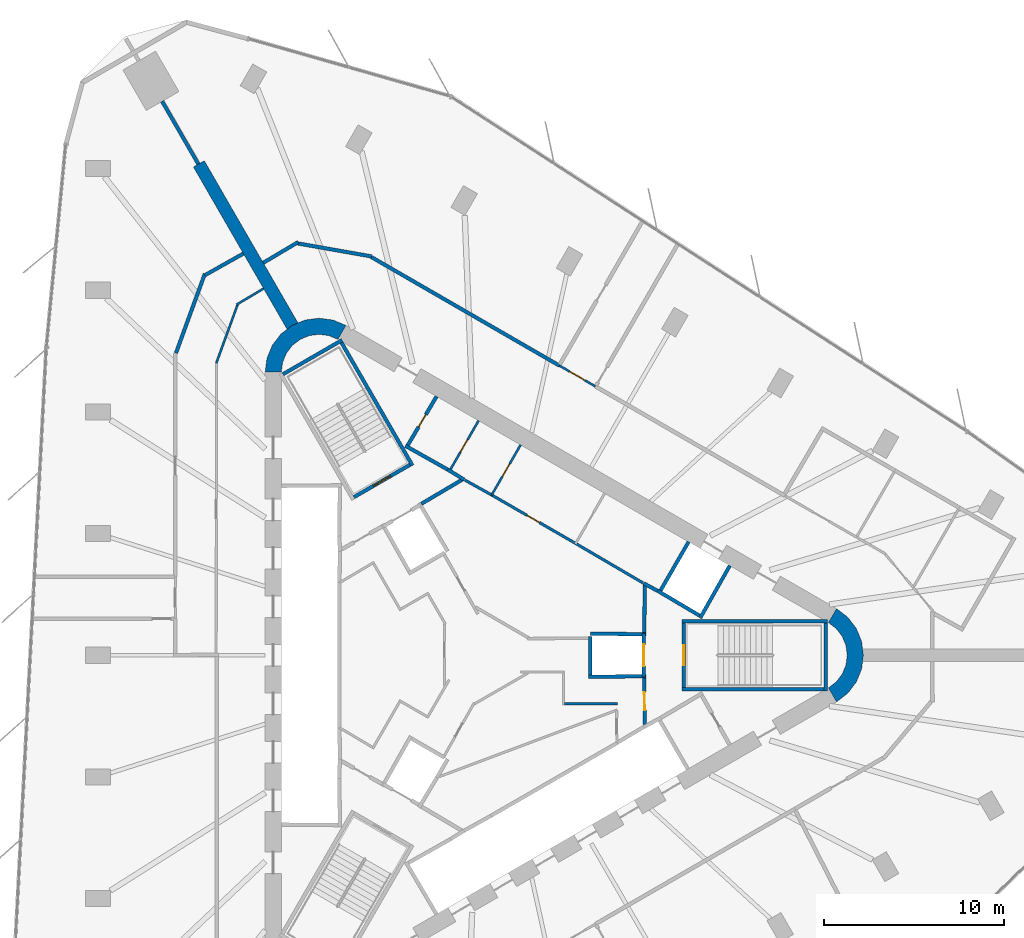
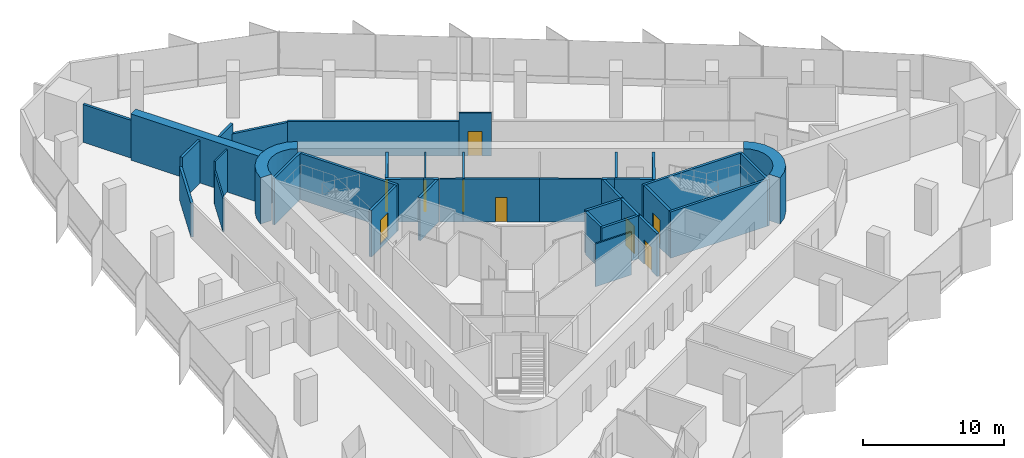
# One storey, part 11 of 14: 39 walls, 9 doors, 9 openings.
"""IFC4 building model written with IfcOpenShell, lengths in metres."""

import ifcopenshell
import ifcopenshell.guid

model = None  # the IFC model being written
_history = None  # IfcOwnerHistory: only IFC2X3 demands one
_inside = {}  # id of a spatial element -> (the spatial element, [elements in it])
_under = {}  # id of a project, library or spatial element -> (it, [spatial elements below it])
_declared = {}  # id of a project -> (the project, [libraries it declares])
_typed = {}  # id of a type object -> (the type object, [elements of that type])
_made_of = {}  # id of a material, layer set ... -> (it, [elements and type objects made of it])


def new_model(schema):
    """Start an empty IFC model of exactly this schema.

    Asked for "IFC4X3", IfcOpenShell would pick the latest addendum, in which some entities
    have other attributes; the version numbers below select the first issue.
    IFC2X3 requires an IfcOwnerHistory on every rooted entity: one is made here for all.
    """
    global model, _history
    if schema == "IFC4X3":
        model = ifcopenshell.file(schema_version=(4, 3, 0, 0))
    else:
        model = ifcopenshell.file(schema=schema)
    _inside.clear()
    _under.clear()
    _declared.clear()
    _typed.clear()
    _made_of.clear()
    _history = None
    if model.schema == "IFC2X3":
        org = make("IfcOrganization", Name="unknown")
        user = make(
            "IfcPersonAndOrganization",
            ThePerson=make("IfcPerson", FamilyName="unknown"),
            TheOrganization=org,
        )
        app = make(
            "IfcApplication",
            ApplicationDeveloper=org,
            Version="unknown",
            ApplicationFullName="unknown",
            ApplicationIdentifier="unknown",
        )
        _history = make(
            "IfcOwnerHistory",
            OwningUser=user,
            OwningApplication=app,
            ChangeAction="ADDED",
            CreationDate=0,
        )
    return model


def make(cls, **values):
    """One entity of the class cls with the attributes given. An attribute that is None is left unset."""
    return model.create_entity(
        cls, **{name: value for name, value in values.items() if value is not None}
    )


def rooted(cls, **values):
    """An entity with a GlobalId (a new one), such as an element, a storey or a relation."""
    return make(cls, GlobalId=ifcopenshell.guid.new(), OwnerHistory=_history, **values)


def si_unit(unit_type, name, prefix=None):
    """IfcSIUnit, for example si_unit("LENGTHUNIT", "METRE", prefix="MILLI")."""
    return make("IfcSIUnit", UnitType=unit_type, Prefix=prefix, Name=name)


def assignment(units):
    """IfcUnitAssignment: the units of a project."""
    return None if units is None else make("IfcUnitAssignment", Units=units)


def point(xyz):
    """IfcCartesianPoint."""
    return None if xyz is None else make("IfcCartesianPoint", Coordinates=xyz)


def direction(xyz):
    """IfcDirection."""
    return None if xyz is None else make("IfcDirection", DirectionRatios=xyz)


def frame(location, z_axis=None, x_axis=None):
    """IfcAxis2Placement3D, a coordinate frame: its origin and axes. An axis left out is left unset."""
    return make(
        "IfcAxis2Placement3D",
        Location=point(location),
        Axis=direction(z_axis),
        RefDirection=direction(x_axis),
    )


def frame_2d(location, x_axis=None):
    """IfcAxis2Placement2D, a coordinate frame in the plane: its origin and x axis."""
    return make(
        "IfcAxis2Placement2D", Location=point(location), RefDirection=direction(x_axis)
    )


def origin():
    """The frame at (0, 0, 0) with its axes left unset."""
    return frame((0.0, 0.0, 0.0))


def place(relative_to, where):
    """IfcLocalPlacement: puts the frame where relative to a parent placement (None: the world)."""
    return make(
        "IfcLocalPlacement", PlacementRelTo=relative_to, RelativePlacement=where
    )


def context(
    kind, dimensions, precision=None, world=None, true_north=None, identifier=None
):
    """IfcGeometricRepresentationContext, for example the 3D "Model" context."""
    return make(
        "IfcGeometricRepresentationContext",
        ContextIdentifier=identifier,
        ContextType=kind,
        CoordinateSpaceDimension=dimensions,
        Precision=precision,
        WorldCoordinateSystem=world,
        TrueNorth=true_north,
    )


def subcontext(parent, identifier, kind, view, scale=None):
    """IfcGeometricRepresentationSubContext, for example "Body" below "Model"."""
    return make(
        "IfcGeometricRepresentationSubContext",
        ContextIdentifier=identifier,
        ContextType=kind,
        ParentContext=parent,
        TargetScale=scale,
        TargetView=view,
    )


def project(units=None, contexts=None):
    """IfcProject with its units and contexts."""
    return rooted(
        "IfcProject",
        Name="project",
        RepresentationContexts=contexts,
        UnitsInContext=assignment(units),
    )


def spatial(cls, under=None, at=None, **own):
    """A site, building, storey or space (cls), placed at a placement, below another one or the project."""
    s = rooted(cls, ObjectPlacement=at, **own)
    if under is not None:
        _under.setdefault(under.id(), (under, []))[1].append(s)
    return s


def polyline(points):
    """IfcPolyline through the points."""
    return make("IfcPolyline", Points=[point(p) for p in points])


def profile(cls, at=None, kind="AREA", **sizes):
    """A parametric profile (cls). Its sizes go by their IFC names, for example OverallWidth=200.0."""
    return make(cls, ProfileType=kind, Position=at, **sizes)


def rectangle(**sizes):
    """IfcRectangleProfileDef."""
    return profile("IfcRectangleProfileDef", **sizes)


def outline(outer, holes=None, kind="AREA"):
    """IfcArbitraryClosedProfileDef: a profile drawn as a closed curve; with holes, ...WithVoids."""
    if holes is None:
        return make("IfcArbitraryClosedProfileDef", ProfileType=kind, OuterCurve=outer)
    return make(
        "IfcArbitraryProfileDefWithVoids",
        ProfileType=kind,
        OuterCurve=outer,
        InnerCurves=holes,
    )


def extrude(swept, where, along, depth):
    """IfcExtrudedAreaSolid: the profile swept, set in the frame where, extruded along a direction by depth."""
    return make(
        "IfcExtrudedAreaSolid",
        SweptArea=swept,
        Position=where,
        ExtrudedDirection=direction(along),
        Depth=depth,
    )


def shape(context_of_items, identifier, shape_type, items):
    """IfcShapeRepresentation: the items that make up one representation, for example the "Body"."""
    return make(
        "IfcShapeRepresentation",
        ContextOfItems=context_of_items,
        RepresentationIdentifier=identifier,
        RepresentationType=shape_type,
        Items=items,
    )


def material(Name=None, Category=None):
    """IfcMaterial."""
    return make("IfcMaterial", Name=Name, Category=Category)


def layer(
    of_material, thickness, ventilated=None, Name=None, Category=None, Priority=None
):
    """IfcMaterialLayer: one layer of a wall or slab, of a material (None: an air gap)."""
    return make(
        "IfcMaterialLayer",
        Material=of_material,
        LayerThickness=thickness,
        IsVentilated=ventilated,
        Name=Name,
        Category=Category,
        Priority=Priority,
    )


def layer_set(layers, Name=None):
    """IfcMaterialLayerSet."""
    return make("IfcMaterialLayerSet", MaterialLayers=layers, LayerSetName=Name)


def made_of(thing, what):
    """Note that an element or type object is made of a material, layer set ...; save() writes the relation."""
    if what is not None:
        _made_of.setdefault(what.id(), (what, []))[1].append(thing)
    return thing


def type_object(cls, material=None, **own):
    """A type object (cls), such as IfcWallType, which elements share."""
    return made_of(rooted(cls, **own), material)


def element(
    cls,
    number,
    at=None,
    inside=None,
    cuts=None,
    type_object=None,
    material=None,
    context=None,
    identifier="Body",
    shape_type=None,
    held_by="IfcProductDefinitionShape",
    body=None,
    shapes=None,
    **own,
):
    """One element of the class cls, such as IfcWall. Its Tag is "e" and its number.

    at: its placement. inside: the storey or other place that contains it. cuts: it is an
    opening in that element (IfcRelVoidsElement). A single representation is given by context,
    identifier, shape_type and body (its items); several are given by shapes. held_by: the class
    of the entity that holds the representations. save() writes the other relations.
    """
    e = rooted(cls, Tag="e%d" % number, ObjectPlacement=at, **own)
    if body is not None:
        shapes = [shape(context, identifier, shape_type, body)]
    if shapes is not None:
        e.Representation = make(held_by, Representations=shapes)
    if inside is not None:
        _inside.setdefault(inside.id(), (inside, []))[1].append(e)
    if cuts is not None:
        rooted(
            "IfcRelVoidsElement", RelatingBuildingElement=cuts, RelatedOpeningElement=e
        )
    if type_object is not None:
        _typed.setdefault(type_object.id(), (type_object, []))[1].append(e)
    return made_of(e, material)


def fill(opening, filler):
    """IfcRelFillsElement: the door or window that sits in an opening."""
    return rooted(
        "IfcRelFillsElement",
        RelatingOpeningElement=opening,
        RelatedBuildingElement=filler,
    )


def aggregate(whole, parts):
    """IfcRelAggregates: a whole, such as a stair, and the parts it consists of."""
    return rooted("IfcRelAggregates", RelatingObject=whole, RelatedObjects=parts)


def save(model, path):
    """Write the relations noted so far, then the file.

    IfcRelAggregates (storeys below a building ...), IfcRelContainedInSpatialStructure (elements
    in a storey), IfcRelDefinesByType, IfcRelAssociatesMaterial and IfcRelDeclares: one each for
    every whole, place, type object, material and project.
    """
    for whole, parts in _under.values():
        aggregate(whole, parts)
    for where, things in _inside.values():
        rooted(
            "IfcRelContainedInSpatialStructure",
            RelatedElements=things,
            RelatingStructure=where,
        )
    for kind, things in _typed.values():
        rooted("IfcRelDefinesByType", RelatedObjects=things, RelatingType=kind)
    for what, things in _made_of.values():
        rooted("IfcRelAssociatesMaterial", RelatedObjects=things, RelatingMaterial=what)
    for by, libraries in _declared.values():
        rooted("IfcRelDeclares", RelatingContext=by, RelatedDefinitions=libraries)
    model.write(path)


model = new_model("IFC4")

# Units and contexts
model_context = context("Model", 3, precision=1e-05, world=origin(), true_north=direction((0.0, 1.0)))
body_context = subcontext(model_context, "Body", "Model", "MODEL_VIEW")
ifc_project = project(units=[si_unit("LENGTHUNIT", "METRE"), si_unit("AREAUNIT", "SQUARE_METRE"), si_unit("VOLUMEUNIT", "CUBIC_METRE"), si_unit("PLANEANGLEUNIT", "RADIAN"), si_unit("MASSUNIT", "GRAM", prefix="KILO")], contexts=[model_context])

# Site, building, storey
site_placement = place(None, origin())
site = spatial("IfcSite", under=ifc_project, at=site_placement, CompositionType="ELEMENT")
building_placement = place(site_placement, origin())
building = spatial("IfcBuilding", under=site, at=building_placement, Name="Tanit Gate Tower", CompositionType="ELEMENT")
storey_placement = place(building_placement, frame((0.0, 0.0, 257.199951171875)))
storey = spatial("IfcBuildingStorey", under=building, at=storey_placement, Name="L58", CompositionType="ELEMENT", Elevation=257.199951171875)

# Walls
ifc_material_1 = material(Name="Concrete C50/60", Category="concrete")
ifc_layer_1 = layer(ifc_material_1, 0.699951171875)
ifc_layer_set_1 = layer_set([ifc_layer_1], Name="BUTTRESS FIN 700 C50/60")
wall_type_1 = type_object("IfcWallType", Name="BUTTRESS FIN 700 C50/60", PredefinedType="SHEAR", material=ifc_layer_set_1)
wall_1_placement = place(storey_placement, frame((-10.574951171875, 18.31640625, 0.0), z_axis=(0.0, 0.0, 1.0), x_axis=(-0.500010108608, 0.866019567498, 0.0)))
element("IfcWall", 1, at=wall_1_placement, inside=storey, type_object=wall_type_1, Name="BUTTRESS FIN", PredefinedType="SHEAR", context=body_context, shape_type="SweptSolid", body=[
    extrude(rectangle(XDim=10.432373046875, YDim=0.699951171875, at=frame_2d((5.21630859375, 0.0))), origin(), (0.0, 0.0, 1.0), 4.0),
])
ifc_material_2 = material(Name="Concrete C50/60", Category="concrete")
ifc_layer_2 = layer(ifc_material_2, 0.89990234375)
ifc_layer_set_2 = layer_set([ifc_layer_2], Name="CORE WALL 900 C50/60")
wall_type_2 = type_object("IfcWallType", Name="CORE WALL 900 C50/60", PredefinedType="SHEAR", material=ifc_layer_set_2)
wall_2_placement = place(storey_placement, origin())
element("IfcWall", 2, at=wall_2_placement, inside=storey, type_object=wall_type_2, Name="CORE WALL CORNER", PredefinedType="SHEAR", context=body_context, shape_type="SweptSolid", body=[
    extrude(outline(polyline([(-7.60009765625, 18.359619140625), (-8.323486328125, 18.659423828125), (-9.10009765625, 18.76171875), (-9.87646484375, 18.659423828125), (-10.60009765625, 18.359619140625), (-11.22119140625, 17.883056640625), (-11.697998046875, 17.26171875), (-11.997802734375, 16.5380859375), (-12.10009765625, 15.76171875), (-11.199951171875, 15.76171875), (-11.12841796875, 16.30517578125), (-10.918701171875, 16.811767578125), (-10.5849609375, 17.24658203125), (-10.14990234375, 17.580322265625), (-9.6435546875, 17.7900390625), (-9.10009765625, 17.86181640625), (-8.556396484375, 17.7900390625), (-8.050048828125, 17.580322265625), (-7.60009765625, 18.359619140625)])), origin(), (0.0, 0.0, 1.0), 4.0),
])
wall_3_placement = place(storey_placement, origin())
element("IfcWall", 3, at=wall_3_placement, inside=storey, type_object=wall_type_2, Name="CORE WALL CORNER", PredefinedType="SHEAR", context=body_context, shape_type="SweptSolid", body=[
    extrude(outline(polyline([(19.699951171875, -2.59814453125), (20.3212890625, -2.121337890625), (20.798095703125, -1.5), (21.097900390625, -0.776611328125), (21.199951171875, 0.0), (21.097900390625, 0.776611328125), (20.798095703125, 1.5), (20.3212890625, 2.121337890625), (19.699951171875, 2.59814453125), (19.25, 1.818603515625), (19.684814453125, 1.48486328125), (20.018798828125, 1.050048828125), (20.228515625, 0.54345703125), (20.300048828125, 0.0), (20.228515625, -0.54345703125), (20.018798828125, -1.050048828125), (19.684814453125, -1.48486328125), (19.25, -1.818603515625), (19.699951171875, -2.59814453125)])), origin(), (0.0, 0.0, 1.0), 4.0),
])
ifc_material_3 = material(Name="Fire-rated gypsum board partition")
ifc_layer_3 = layer(ifc_material_3, 0.199951171875)
ifc_layer_set_3 = layer_set([ifc_layer_3], Name="INT-WALL-COMPARTMENT")
wall_type_3 = type_object("IfcWallType", Name="INT-WALL-COMPARTMENT", PredefinedType="PARTITIONING", material=ifc_layer_set_3)
wall_4_placement = place(storey_placement, frame((8.97412109375, 3.998779296875, 0.0), z_axis=(0.0, 0.0, 1.0), x_axis=(0.880917147855, -0.473270513147, 0.0)))
element("IfcWall", 4, at=wall_4_placement, inside=storey, type_object=wall_type_3, Name="Wall Compartment W051", PredefinedType="PARTITIONING", context=body_context, shape_type="SweptSolid", body=[
    extrude(rectangle(XDim=0.8779296875, YDim=0.199951171875, at=frame_2d((0.43896484375, 0.0))), origin(), (0.0, 0.0, 1.0), 3.699951171875),
])
wall_5_placement = place(storey_placement, frame((-1.940673828125, 10.338623046875, 0.0), z_axis=(0.0, 0.0, 1.0), x_axis=(0.850216889117, -0.526432561171, 0.0)))
element("IfcWall", 5, at=wall_5_placement, inside=storey, type_object=wall_type_3, Name="Wall Compartment W056", PredefinedType="PARTITIONING", context=body_context, shape_type="SweptSolid", body=[
    extrude(rectangle(XDim=1.078369140625, YDim=0.199951171875, at=frame_2d((0.5390625, 0.0))), origin(), (0.0, 0.0, 1.0), 3.699951171875),
])
wall_6_placement = place(storey_placement, frame((-4.296142578125, 11.658935546875, 0.0), z_axis=(0.0, 0.0, 1.0), x_axis=(0.871534483978, -0.490334215854, 0.0)))
element("IfcWall", 6, at=wall_6_placement, inside=storey, type_object=wall_type_3, Name="Wall Compartment W058", PredefinedType="PARTITIONING", context=body_context, shape_type="SweptSolid", body=[
    extrude(rectangle(XDim=2.7001953125, YDim=0.199951171875, at=frame_2d((1.35009765625, 0.0))), origin(), (0.0, 0.0, 1.0), 3.699951171875),
])

# Wall, opening, door
wall_7_placement = place(storey_placement, frame((-2.557861328125, 14.409423828125, 0.0), z_axis=(0.0, 0.0, 1.0), x_axis=(-0.508018930956, -0.861345903683, 0.0)))
wall_7 = element("IfcWall", 7, at=wall_7_placement, inside=storey, type_object=wall_type_3, Name="Wall Compartment W059", PredefinedType="PARTITIONING", context=body_context, shape_type="SweptSolid", body=[
    extrude(rectangle(XDim=3.150146484375, YDim=0.199951171875, at=frame_2d((1.5751953125, 0.0))), origin(), (0.0, 0.0, 1.0), 3.699951171875),
])
opening_1_placement = place(wall_7_placement, frame((1.175048828125, 0.0, 0.0)))
opening_1 = element("IfcOpeningElement", 8, at=opening_1_placement, cuts=wall_7, Name="Opening R08-S16-16", PredefinedType="OPENING", context=body_context, shape_type="SweptSolid", body=[
    extrude(rectangle(XDim=0.800048828125, YDim=2.10009765625, at=frame_2d((0.39990234375, 1.050048828125))), frame((0.0, 0.10986328125, 0.0), z_axis=(0.0, -1.0, 0.0), x_axis=(1.0, 0.0, 0.0)), (0.0, 0.0, 1.0), 0.219970703125),
])
ifc_material_4 = material(Name="Timber door leaf", Category="wood")
door_type_1 = type_object("IfcDoorType", Name="INT-DOOR-RISER-800", OperationType="NOTDEFINED", PredefinedType="USERDEFINED", material=ifc_material_4)
door_1_placement = place(opening_1_placement, origin())
door_1 = element("IfcDoor", 9, at=door_1_placement, inside=storey, type_object=door_type_1, Name="Door R08-S16-16", ObjectType="FIRE DOOR", OperationType="SINGLE_SWING_RIGHT", OverallHeight=2.10009765625, OverallWidth=0.800048828125, PredefinedType="USERDEFINED", context=body_context, shape_type="SweptSolid", body=[
    extrude(rectangle(XDim=0.800048828125, YDim=2.10009765625, at=frame_2d((0.39990234375, 1.050048828125))), frame((0.0, 0.02490234375, 0.0), z_axis=(0.0, -1.0, 0.0), x_axis=(1.0, 0.0, 0.0)), (0.0, 0.0, 1.0), 0.050048828125),
])
fill(opening_1, door_1)

# Wall
wall_8_placement = place(storey_placement, frame((9.0009765625, 1.27001953125, 0.0), z_axis=(0.0, 0.0, 1.0), x_axis=(0.01074821465, 0.999942236273, 0.0)))
element("IfcWall", 10, at=wall_8_placement, inside=storey, type_object=wall_type_3, Name="Wall Compartment W062", PredefinedType="PARTITIONING", context=body_context, shape_type="SweptSolid", body=[
    extrude(rectangle(XDim=2.725830078125, YDim=0.199951171875, at=frame_2d((1.36279296875, 0.0))), origin(), (0.0, 0.0, 1.0), 3.699951171875),
])

# Wall, opening, door
wall_9_placement = place(storey_placement, frame((9.02880859375, -3.850830078125, 0.0), z_axis=(0.0, 0.0, 1.0), x_axis=(-0.010783593937, 0.99994185536, 0.0)))
wall_9 = element("IfcWall", 11, at=wall_9_placement, inside=storey, type_object=wall_type_3, Name="Wall Compartment W063", PredefinedType="PARTITIONING", context=body_context, shape_type="SweptSolid", body=[
    extrude(rectangle(XDim=2.5810546875, YDim=0.199951171875, at=frame_2d((1.29052734375, 0.0))), origin(), (0.0, 0.0, 1.0), 3.699951171875),
])
opening_2_placement = place(wall_9_placement, frame((0.79052734375, 0.0, 0.0)))
opening_2 = element("IfcOpeningElement", 12, at=opening_2_placement, cuts=wall_9, Name="Opening F10-S16-02", PredefinedType="OPENING", context=body_context, shape_type="SweptSolid", body=[
    extrude(rectangle(XDim=1.0, YDim=2.10009765625, at=frame_2d((0.5, 1.050048828125))), frame((0.0, 0.10986328125, 0.0), z_axis=(0.0, -1.0, 0.0), x_axis=(1.0, 0.0, 0.0)), (0.0, 0.0, 1.0), 0.219970703125),
])
ifc_material_5 = material(Name="Fire-rated steel door leaf", Category="steel")
door_type_2 = type_object("IfcDoorType", Name="INT-DOOR-FIRE-1000", OperationType="NOTDEFINED", PredefinedType="USERDEFINED", material=ifc_material_5)
door_2_placement = place(opening_2_placement, origin())
door_2 = element("IfcDoor", 13, at=door_2_placement, inside=storey, type_object=door_type_2, Name="Door F10-S16-02", ObjectType="FIRE DOOR", OperationType="SINGLE_SWING_LEFT", OverallHeight=2.10009765625, OverallWidth=1.0, PredefinedType="USERDEFINED", context=body_context, shape_type="SweptSolid", body=[
    extrude(rectangle(XDim=1.0, YDim=2.10009765625, at=frame_2d((0.5, 1.050048828125))), frame((0.0, 0.02490234375, 0.0), z_axis=(0.0, -1.0, 0.0), x_axis=(1.0, 0.0, 0.0)), (0.0, 0.0, 1.0), 0.050048828125),
])
fill(opening_2, door_2)

# Walls
wall_10_placement = place(storey_placement, frame((-1.0556640625, 9.81787109375, 0.0), z_axis=(0.0, 0.0, 1.0), x_axis=(-0.860599924646, -0.509281621207, 0.0)))
element("IfcWall", 14, at=wall_10_placement, inside=storey, type_object=wall_type_3, Name="Wall Compartment W064", PredefinedType="PARTITIONING", context=body_context, shape_type="SweptSolid", body=[
    extrude(rectangle(XDim=2.724853515625, YDim=0.199951171875, at=frame_2d((1.3623046875, 0.0))), origin(), (0.0, 0.0, 1.0), 3.699951171875),
])
wall_11_placement = place(storey_placement, frame((-15.456298828125, 21.238525390625, 0.0), z_axis=(0.0, 0.0, 1.0), x_axis=(-0.34205546997, -0.939679762187, 0.0)))
element("IfcWall", 15, at=wall_11_placement, inside=storey, type_object=wall_type_3, Name="Wall Compartment W094", PredefinedType="PARTITIONING", context=body_context, shape_type="SweptSolid", body=[
    extrude(rectangle(XDim=4.705810546875, YDim=0.199951171875, at=frame_2d((2.35302734375, 0.0))), origin(), (0.0, 0.0, 1.0), 2.880126953125),
])
wall_12_placement = place(storey_placement, frame((-13.31298828125, 22.35888671875, 0.0), z_axis=(0.0, 0.0, 1.0), x_axis=(-0.87121710687, -0.490897904555, 0.0)))
element("IfcWall", 16, at=wall_12_placement, inside=storey, type_object=wall_type_3, Name="Wall Compartment W095", PredefinedType="PARTITIONING", context=body_context, shape_type="SweptSolid", body=[
    extrude(rectangle(XDim=2.457275390625, YDim=0.199951171875, at=frame_2d((1.228515625, 0.0))), origin(), (0.0, 0.0, 1.0), 3.699951171875),
])
wall_13_placement = place(storey_placement, frame((-10.26513671875, 22.995849609375, 0.0), z_axis=(0.0, 0.0, 1.0), x_axis=(-0.859934823121, -0.510403859687, 0.0)))
element("IfcWall", 17, at=wall_13_placement, inside=storey, type_object=wall_type_3, Name="Wall Compartment W100", PredefinedType="PARTITIONING", context=body_context, shape_type="SweptSolid", body=[
    extrude(rectangle(XDim=2.25830078125, YDim=0.199951171875, at=frame_2d((1.129150390625, 0.0))), origin(), (0.0, 0.0, 1.0), 3.699951171875),
])
wall_14_placement = place(storey_placement, frame((-6.18115234375, 22.19873046875, 0.0), z_axis=(0.0, 0.0, 1.0), x_axis=(-0.984807544765, 0.17364935869, 0.0)))
element("IfcWall", 18, at=wall_14_placement, inside=storey, type_object=wall_type_3, Name="Wall Compartment W101", PredefinedType="PARTITIONING", context=body_context, shape_type="SweptSolid", body=[
    extrude(rectangle(XDim=4.199462890625, YDim=0.199951171875, at=frame_2d((2.099609375, 0.0))), origin(), (0.0, 0.0, 1.0), 2.880126953125),
])
wall_15_placement = place(storey_placement, frame((4.28271484375, 16.117919921875, 0.0), z_axis=(0.0, 0.0, 1.0), x_axis=(-0.866016186489, 0.500015964484, 0.0)))
element("IfcWall", 19, at=wall_15_placement, inside=storey, type_object=wall_type_3, Name="Wall Compartment W102", PredefinedType="PARTITIONING", context=body_context, shape_type="SweptSolid", body=[
    extrude(rectangle(XDim=12.09619140625, YDim=0.199951171875, at=frame_2d((6.048095703125, 0.0))), origin(), (0.0, 0.0, 1.0), 2.97998046875),
])
wall_16_placement = place(storey_placement, frame((-17.8359375, 30.832763671875, 0.0), z_axis=(0.0, 0.0, 1.0), x_axis=(0.500008591458, -0.866020443447, 0.0)))
element("IfcWall", 20, at=wall_16_placement, inside=storey, type_object=wall_type_3, Name="Wall Compartment W125", PredefinedType="PARTITIONING", context=body_context, shape_type="SweptSolid", body=[
    extrude(rectangle(XDim=4.03759765625, YDim=0.199951171875, at=frame_2d((2.018798828125, 0.0))), origin(), (0.0, 0.0, 1.0), 3.27001953125),
])

# Wall, opening, door
ifc_material_6 = material(Name="Gypsum board partition")
ifc_layer_4 = layer(ifc_material_6, 0.1201171875)
ifc_layer_set_4 = layer_set([ifc_layer_4], Name="INT-WALL-PARTITION")
wall_type_4 = type_object("IfcWallType", Name="INT-WALL-PARTITION", PredefinedType="PARTITIONING", material=ifc_layer_set_4)
wall_17_placement = place(storey_placement, frame((2.11865234375, 11.70947265625, 0.0), z_axis=(0.0, 0.0, 1.0), x_axis=(-0.500017246033, -0.866015446554, 0.0)))
wall_17 = element("IfcWall", 21, at=wall_17_placement, inside=storey, type_object=wall_type_4, Name="Wall Partition W053", PredefinedType="PARTITIONING", context=body_context, shape_type="SweptSolid", body=[
    extrude(rectangle(XDim=3.25, YDim=0.1201171875, at=frame_2d((1.625, 0.0))), origin(), (0.0, 0.0, 1.0), 3.699951171875),
])
opening_3_placement = place(wall_17_placement, frame((1.22509765625, 0.0, 0.0)))
opening_3 = element("IfcOpeningElement", 22, at=opening_3_placement, cuts=wall_17, Name="Opening R08-S16-15", PredefinedType="OPENING", context=body_context, shape_type="SweptSolid", body=[
    extrude(rectangle(XDim=0.800048828125, YDim=2.10009765625, at=frame_2d((0.39990234375, 1.050048828125))), frame((0.0, 0.070068359375, 0.0), z_axis=(0.0, -1.0, 0.0), x_axis=(1.0, 0.0, 0.0)), (0.0, 0.0, 1.0), 0.14013671875),
])
door_3_placement = place(opening_3_placement, origin())
door_3 = element("IfcDoor", 23, at=door_3_placement, inside=storey, type_object=door_type_1, Name="Door R08-S16-15", ObjectType="FIRE DOOR", OperationType="SINGLE_SWING_LEFT", OverallHeight=2.10009765625, OverallWidth=0.800048828125, PredefinedType="USERDEFINED", context=body_context, shape_type="SweptSolid", body=[
    extrude(rectangle(XDim=0.800048828125, YDim=2.10009765625, at=frame_2d((0.39990234375, 1.050048828125))), frame((0.0, 0.02490234375, 0.0), z_axis=(0.0, -1.0, 0.0), x_axis=(1.0, 0.0, 0.0)), (0.0, 0.0, 1.0), 0.050048828125),
])
fill(opening_3, door_3)

wall_18_placement = place(storey_placement, frame((-0.2197265625, 13.0595703125, 0.0), z_axis=(0.0, 0.0, 1.0), x_axis=(-0.499984717929, -0.866034226713, 0.0)))
wall_18 = element("IfcWall", 24, at=wall_18_placement, inside=storey, type_object=wall_type_4, Name="Wall Partition W055", PredefinedType="PARTITIONING", context=body_context, shape_type="SweptSolid", body=[
    extrude(rectangle(XDim=3.25, YDim=0.1201171875, at=frame_2d((1.625, 0.0))), origin(), (0.0, 0.0, 1.0), 3.699951171875),
])
opening_4_placement = place(wall_18_placement, frame((1.22509765625, 0.0, 0.0)))
opening_4 = element("IfcOpeningElement", 25, at=opening_4_placement, cuts=wall_18, Name="Opening R08-S16-37", PredefinedType="OPENING", context=body_context, shape_type="SweptSolid", body=[
    extrude(rectangle(XDim=0.800048828125, YDim=2.10009765625, at=frame_2d((0.39990234375, 1.050048828125))), frame((0.0, 0.070068359375, 0.0), z_axis=(0.0, -1.0, 0.0), x_axis=(1.0, 0.0, 0.0)), (0.0, 0.0, 1.0), 0.14013671875),
])
door_4_placement = place(opening_4_placement, origin())
door_4 = element("IfcDoor", 26, at=door_4_placement, inside=storey, type_object=door_type_1, Name="Door R08-S16-37", ObjectType="FIRE DOOR", OperationType="SINGLE_SWING_LEFT", OverallHeight=2.10009765625, OverallWidth=0.800048828125, PredefinedType="USERDEFINED", context=body_context, shape_type="SweptSolid", body=[
    extrude(rectangle(XDim=0.800048828125, YDim=2.10009765625, at=frame_2d((0.39990234375, 1.050048828125))), frame((0.0, 0.02490234375, 0.0), z_axis=(0.0, -1.0, 0.0), x_axis=(1.0, 0.0, 0.0)), (0.0, 0.0, 1.0), 0.050048828125),
])
fill(opening_4, door_4)

# Walls
wall_19_placement = place(storey_placement, frame((7.5, -2.699951171875, 0.0), z_axis=(0.0, 0.0, 1.0), x_axis=(-1.0, 0.0, 0.0)))
element("IfcWall", 27, at=wall_19_placement, inside=storey, type_object=wall_type_4, Name="Wall Partition W076", PredefinedType="PARTITIONING", context=body_context, shape_type="SweptSolid", body=[
    extrude(rectangle(XDim=2.93994140625, YDim=0.1201171875, at=frame_2d((1.469970703125, 0.0))), origin(), (0.0, 0.0, 1.0), 3.699951171875),
])
wall_20_placement = place(storey_placement, frame((-12.188720703125, 20.411376953125, 0.0), z_axis=(0.0, 0.0, 1.0), x_axis=(-0.858492721014, -0.51282574815, 0.0)))
element("IfcWall", 28, at=wall_20_placement, inside=storey, type_object=wall_type_4, Name="Wall Partition W087", PredefinedType="PARTITIONING", context=body_context, shape_type="SweptSolid", body=[
    extrude(rectangle(XDim=1.742431640625, YDim=0.1201171875, at=frame_2d((0.87109375, 0.0))), origin(), (0.0, 0.0, 1.0), 3.699951171875),
])
wall_21_placement = place(storey_placement, frame((-13.630615234375, 19.529541015625, 0.0), z_axis=(0.0, 0.0, 1.0), x_axis=(-0.342069878069, -0.939674517329, 0.0)))
element("IfcWall", 29, at=wall_21_placement, inside=storey, type_object=wall_type_4, Name="Wall Partition W088", PredefinedType="PARTITIONING", context=body_context, shape_type="SweptSolid", body=[
    extrude(rectangle(XDim=3.478759765625, YDim=0.1201171875, at=frame_2d((1.7392578125, 0.0))), origin(), (0.0, 0.0, 1.0), 2.880126953125),
])

# Wall, opening, door
wall_22_placement = place(storey_placement, frame((6.274658203125, 14.968017578125, 0.0), z_axis=(0.0, 0.0, 1.0), x_axis=(-0.866053019151, 0.499952165731, 0.0)))
wall_22 = element("IfcWall", 30, at=wall_22_placement, inside=storey, type_object=wall_type_4, Name="Wall Partition W099", PredefinedType="PARTITIONING", context=body_context, shape_type="SweptSolid", body=[
    extrude(rectangle(XDim=2.300048828125, YDim=0.1201171875, at=frame_2d((1.14990234375, 0.0))), origin(), (0.0, 0.0, 1.0), 3.699951171875),
])
opening_5_placement = place(wall_22_placement, frame((0.64990234375, 0.0, 0.0)))
opening_5 = element("IfcOpeningElement", 31, at=opening_5_placement, cuts=wall_22, Name="Opening D10-S16-21", PredefinedType="OPENING", context=body_context, shape_type="SweptSolid", body=[
    extrude(rectangle(XDim=1.0, YDim=2.10009765625, at=frame_2d((0.5, 1.050048828125))), frame((0.0, 0.070068359375, 0.0), z_axis=(0.0, -1.0, 0.0), x_axis=(1.0, 0.0, 0.0)), (0.0, 0.0, 1.0), 0.14013671875),
])
ifc_material_7 = material(Name="Timber door leaf", Category="wood")
door_type_3 = type_object("IfcDoorType", Name="INT-DOOR-SINGLE-1000", OperationType="NOTDEFINED", PredefinedType="NOTDEFINED", material=ifc_material_7)
door_5_placement = place(opening_5_placement, origin())
door_5 = element("IfcDoor", 32, at=door_5_placement, inside=storey, type_object=door_type_3, Name="Door D10-S16-21", OperationType="SINGLE_SWING_RIGHT", OverallHeight=2.10009765625, OverallWidth=1.0, PredefinedType="NOTDEFINED", context=body_context, shape_type="SweptSolid", body=[
    extrude(rectangle(XDim=1.0, YDim=2.10009765625, at=frame_2d((0.5, 1.050048828125))), frame((0.0, 0.02490234375, 0.0), z_axis=(0.0, -1.0, 0.0), x_axis=(1.0, 0.0, 0.0)), (0.0, 0.0, 1.0), 0.050048828125),
])
fill(opening_5, door_5)

# Wall
ifc_material_8 = material(Name="Fire-rated gypsum board partition")
ifc_layer_5 = layer(ifc_material_8, 0.14990234375)
ifc_layer_set_5 = layer_set([ifc_layer_5], Name="INT-WALL-RISER")
wall_type_5 = type_object("IfcWallType", Name="INT-WALL-RISER", PredefinedType="PLUMBINGWALL", material=ifc_layer_set_5)
wall_23_placement = place(storey_placement, frame((8.9306640625, 4.024658203125, 0.0), z_axis=(0.0, 0.0, 1.0), x_axis=(-0.862666884027, 0.505772525157, 0.0)))
element("IfcWall", 33, at=wall_23_placement, inside=storey, type_object=wall_type_5, Name="Wall Riser W052", PredefinedType="PLUMBINGWALL", context=body_context, shape_type="SweptSolid", body=[
    extrude(rectangle(XDim=4.371826171875, YDim=0.14990234375, at=frame_2d((2.18603515625, 0.0))), origin(), (0.0, 0.0, 1.0), 3.699951171875),
])

# Wall, opening, door
wall_24_placement = place(storey_placement, frame((5.1591796875, 6.23583984375, 0.0), z_axis=(0.0, 0.0, 1.0), x_axis=(-0.866028230842, 0.499995103361, 0.0)))
wall_24 = element("IfcWall", 34, at=wall_24_placement, inside=storey, type_object=wall_type_5, Name="Wall Riser W054", PredefinedType="PLUMBINGWALL", context=body_context, shape_type="SweptSolid", body=[
    extrude(rectangle(XDim=5.39990234375, YDim=0.14990234375, at=frame_2d((2.699951171875, 0.0))), origin(), (0.0, 0.0, 1.0), 3.699951171875),
])
opening_6_placement = place(wall_24_placement, frame((2.300048828125, 0.0, 0.0)))
opening_6 = element("IfcOpeningElement", 35, at=opening_6_placement, cuts=wall_24, Name="Opening R08-S16-18", PredefinedType="OPENING", context=body_context, shape_type="SweptSolid", body=[
    extrude(rectangle(XDim=0.800048828125, YDim=2.10009765625, at=frame_2d((0.39990234375, 1.050048828125))), frame((0.0, 0.0849609375, 0.0), z_axis=(0.0, -1.0, 0.0), x_axis=(1.0, 0.0, 0.0)), (0.0, 0.0, 1.0), 0.169921875),
])
door_6_placement = place(opening_6_placement, origin())
door_6 = element("IfcDoor", 36, at=door_6_placement, inside=storey, type_object=door_type_1, Name="Door R08-S16-18", ObjectType="FIRE DOOR", OperationType="SINGLE_SWING_RIGHT", OverallHeight=2.10009765625, OverallWidth=0.800048828125, PredefinedType="USERDEFINED", context=body_context, shape_type="SweptSolid", body=[
    extrude(rectangle(XDim=0.800048828125, YDim=2.10009765625, at=frame_2d((0.39990234375, 1.050048828125))), frame((0.0, 0.02490234375, 0.0), z_axis=(0.0, -1.0, 0.0), x_axis=(1.0, 0.0, 0.0)), (0.0, 0.0, 1.0), 0.050048828125),
])
fill(opening_6, door_6)

# Walls
wall_25_placement = place(storey_placement, frame((0.482666015625, 8.935791015625, 0.0), z_axis=(0.0, 0.0, 1.0), x_axis=(-0.874315691004, 0.485357674776, 0.0)))
element("IfcWall", 37, at=wall_25_placement, inside=storey, type_object=wall_type_5, Name="Wall Riser W057", PredefinedType="PLUMBINGWALL", context=body_context, shape_type="SweptSolid", body=[
    extrude(rectangle(XDim=1.67138671875, YDim=0.14990234375, at=frame_2d((0.835693359375, 0.0))), origin(), (0.0, 0.0, 1.0), 3.699951171875),
])
ifc_material_9 = material(Name="Gypsum shaft wall system")
ifc_layer_6 = layer(ifc_material_9, 0.199951171875)
ifc_layer_set_6 = layer_set([ifc_layer_6], Name="INT-WALL-SHAFT")
wall_type_6 = type_object("IfcWallType", Name="INT-WALL-SHAFT", PredefinedType="PLUMBINGWALL", material=ifc_layer_set_6)
wall_26_placement = place(storey_placement, frame((9.8466796875, 3.494873046875, 0.0), z_axis=(0.0, 0.0, 1.0), x_axis=(0.499984717929, 0.866034226713, 0.0)))
element("IfcWall", 38, at=wall_26_placement, inside=storey, type_object=wall_type_6, Name="Wall Shaft W012", PredefinedType="PLUMBINGWALL", context=body_context, shape_type="SweptSolid", body=[
    extrude(rectangle(XDim=3.25, YDim=0.199951171875, at=frame_2d((1.625, 0.0))), origin(), (0.0, 0.0, 1.0), 3.699951171875),
])
wall_27_placement = place(storey_placement, frame((12.10986328125, 2.07275390625, 0.0), z_axis=(0.0, 0.0, 1.0), x_axis=(0.49196600604, 0.870614408852, 0.0)))
element("IfcWall", 39, at=wall_27_placement, inside=storey, type_object=wall_type_6, Name="Wall Shaft W013", PredefinedType="PLUMBINGWALL", context=body_context, shape_type="SweptSolid", body=[
    extrude(rectangle(XDim=3.35009765625, YDim=0.199951171875, at=frame_2d((1.675048828125, 0.0))), origin(), (0.0, 0.0, 1.0), 3.699951171875),
])
wall_28_placement = place(storey_placement, frame((12.072998046875, 2.2109375, 0.0), z_axis=(0.0, 0.0, 1.0), x_axis=(-0.860414880418, 0.509594185166, 0.0)))
element("IfcWall", 40, at=wall_28_placement, inside=storey, type_object=wall_type_6, Name="Wall Shaft W014", PredefinedType="PLUMBINGWALL", context=body_context, shape_type="SweptSolid", body=[
    extrude(rectangle(XDim=2.7001953125, YDim=0.199951171875, at=frame_2d((1.35009765625, 0.0))), origin(), (0.0, 0.0, 1.0), 3.699951171875),
])

# Wall, opening, door
wall_29_placement = place(storey_placement, frame((8.969970703125, 1.199951171875, 0.0), z_axis=(0.0, 0.0, 1.0), x_axis=(0.0, -1.0, 0.0)))
wall_29 = element("IfcWall", 41, at=wall_29_placement, inside=storey, type_object=wall_type_6, Name="Wall Shaft W029", PredefinedType="PLUMBINGWALL", context=body_context, shape_type="SweptSolid", body=[
    extrude(rectangle(XDim=2.39990234375, YDim=0.199951171875, at=frame_2d((1.199951171875, 0.0))), origin(), (0.0, 0.0, 1.0), 3.699951171875),
])
opening_7_placement = place(wall_29_placement, frame((0.60009765625, 0.0, 0.0)))
opening_7 = element("IfcOpeningElement", 42, at=opening_7_placement, cuts=wall_29, Name="Opening LDFL1-L58", PredefinedType="OPENING", context=body_context, shape_type="SweptSolid", body=[
    extrude(rectangle(XDim=1.199951171875, YDim=2.39990234375, at=frame_2d((0.60009765625, 1.199951171875))), frame((0.0, 0.10986328125, 0.0), z_axis=(0.0, -1.0, 0.0), x_axis=(1.0, 0.0, 0.0)), (0.0, 0.0, 1.0), 0.219970703125),
])
ifc_material_10 = material(Name="Stainless steel sliding door leaf", Category="steel")
door_type_4 = type_object("IfcDoorType", Name="INT-DOOR-LANDING-1200", OperationType="NOTDEFINED", PredefinedType="USERDEFINED", material=ifc_material_10)
door_7_placement = place(opening_7_placement, origin())
door_7 = element("IfcDoor", 43, at=door_7_placement, inside=storey, type_object=door_type_4, Name="Door LDFL1-L58", ObjectType="LANDING DOOR", OperationType="SLIDING_TO_LEFT", OverallHeight=2.39990234375, OverallWidth=1.199951171875, PredefinedType="USERDEFINED", context=body_context, shape_type="SweptSolid", body=[
    extrude(rectangle(XDim=1.199951171875, YDim=2.39990234375, at=frame_2d((0.60009765625, 1.199951171875))), frame((0.0, 0.02490234375, 0.0), z_axis=(0.0, -1.0, 0.0), x_axis=(1.0, 0.0, 0.0)), (0.0, 0.0, 1.0), 0.050048828125),
])
fill(opening_7, door_7)

# Walls
wall_30_placement = place(storey_placement, frame((6.0, 1.199951171875, 0.0), z_axis=(0.0, 0.0, 1.0), x_axis=(0.999949988, -0.010001074852, 0.0)))
element("IfcWall", 44, at=wall_30_placement, inside=storey, type_object=wall_type_6, Name="Wall Shaft W030", PredefinedType="PLUMBINGWALL", context=body_context, shape_type="SweptSolid", body=[
    extrude(rectangle(XDim=3.100341796875, YDim=0.199951171875, at=frame_2d((1.55029296875, 0.0))), origin(), (0.0, 0.0, 1.0), 3.699951171875),
])
wall_31_placement = place(storey_placement, frame((5.89990234375, -1.200927734375, 0.0), z_axis=(0.0, 0.0, 1.0), x_axis=(0.999950064753, 0.009993397809, 0.0)))
element("IfcWall", 45, at=wall_31_placement, inside=storey, type_object=wall_type_6, Name="Wall Shaft W031", PredefinedType="PLUMBINGWALL", context=body_context, shape_type="SweptSolid", body=[
    extrude(rectangle(XDim=3.200439453125, YDim=0.199951171875, at=frame_2d((1.60009765625, 0.0))), origin(), (0.0, 0.0, 1.0), 3.699951171875),
])
wall_32_placement = place(storey_placement, frame((6.0, -1.10009765625, 0.0), z_axis=(0.0, 0.0, 1.0), x_axis=(0.0, 1.0, 0.0)))
element("IfcWall", 46, at=wall_32_placement, inside=storey, type_object=wall_type_6, Name="Wall Shaft W032", PredefinedType="PLUMBINGWALL", context=body_context, shape_type="SweptSolid", body=[
    extrude(rectangle(XDim=2.129638671875, YDim=0.199951171875, at=frame_2d((1.06494140625, 0.0))), origin(), (0.0, 0.0, 1.0), 3.699951171875),
])
ifc_material_11 = material(Name="Concrete C40/50", Category="concrete")
ifc_layer_7 = layer(ifc_material_11, 0.199951171875)
ifc_layer_set_7 = layer_set([ifc_layer_7], Name="INT-WALL-STAIR")
wall_type_7 = type_object("IfcWallType", Name="INT-WALL-STAIR", PredefinedType="SHEAR", material=ifc_layer_set_7)
wall_33_placement = place(storey_placement, frame((19.199951171875, 1.89990234375, -0.300048828125), z_axis=(0.0, 0.0, 1.0), x_axis=(-1.0, 0.0, 0.0)))
element("IfcWall", 47, at=wall_33_placement, inside=storey, type_object=wall_type_7, Name="Wall Stair W025", PredefinedType="SHEAR", context=body_context, shape_type="SweptSolid", body=[
    extrude(rectangle(XDim=8.099853515625, YDim=0.199951171875, at=frame_2d((4.0498046875, 0.0))), origin(), (0.0, 0.0, 1.0), 4.0),
])
wall_34_placement = place(storey_placement, frame((19.10009765625, -2.0, -0.300048828125), z_axis=(0.0, 0.0, 1.0), x_axis=(0.0, 1.0, 0.0)))
element("IfcWall", 48, at=wall_34_placement, inside=storey, type_object=wall_type_7, Name="Wall Stair W026", PredefinedType="SHEAR", context=body_context, shape_type="SweptSolid", body=[
    extrude(rectangle(XDim=3.800048828125, YDim=0.199951171875, at=frame_2d((1.89990234375, 0.0))), origin(), (0.0, 0.0, 1.0), 4.0),
])
wall_35_placement = place(storey_placement, frame((11.10009765625, -1.89990234375, -0.300048828125), z_axis=(0.0, 0.0, 1.0), x_axis=(1.0, 0.0, 0.0)))
element("IfcWall", 49, at=wall_35_placement, inside=storey, type_object=wall_type_7, Name="Wall Stair W027", PredefinedType="SHEAR", context=body_context, shape_type="SweptSolid", body=[
    extrude(rectangle(XDim=7.89990234375, YDim=0.199951171875, at=frame_2d((3.949951171875, 0.0))), origin(), (0.0, 0.0, 1.0), 4.0),
])

# Wall, opening, door
wall_36_placement = place(storey_placement, frame((11.199951171875, -1.800048828125, -0.300048828125), z_axis=(0.0, 0.0, 1.0), x_axis=(0.0, 1.0, 0.0)))
wall_36 = element("IfcWall", 50, at=wall_36_placement, inside=storey, type_object=wall_type_7, Name="Wall Stair W028", PredefinedType="SHEAR", context=body_context, shape_type="SweptSolid", body=[
    extrude(rectangle(XDim=3.60009765625, YDim=0.199951171875, at=frame_2d((1.800048828125, 0.0))), origin(), (0.0, 0.0, 1.0), 4.0),
])
opening_8_placement = place(wall_36_placement, frame((1.25, 0.0, 0.300048828125)))
opening_8 = element("IfcOpeningElement", 51, at=opening_8_placement, cuts=wall_36, Name="Opening S11-S16-01", PredefinedType="OPENING", context=body_context, shape_type="SweptSolid", body=[
    extrude(rectangle(XDim=1.10009765625, YDim=2.10009765625, at=frame_2d((0.550048828125, 1.050048828125))), frame((0.0, 0.10986328125, 0.0), z_axis=(0.0, -1.0, 0.0), x_axis=(1.0, 0.0, 0.0)), (0.0, 0.0, 1.0), 0.219970703125),
])
ifc_material_12 = material(Name="Timber door leaf", Category="wood")
door_type_5 = type_object("IfcDoorType", Name="INT-DOOR-STAIR-1100", OperationType="NOTDEFINED", PredefinedType="USERDEFINED", material=ifc_material_12)
door_8_placement = place(opening_8_placement, origin())
door_8 = element("IfcDoor", 52, at=door_8_placement, inside=storey, type_object=door_type_5, Name="Door S11-S16-01", ObjectType="FIRE DOOR", OperationType="SINGLE_SWING_RIGHT", OverallHeight=2.10009765625, OverallWidth=1.10009765625, PredefinedType="USERDEFINED", context=body_context, shape_type="SweptSolid", body=[
    extrude(rectangle(XDim=1.10009765625, YDim=2.10009765625, at=frame_2d((0.550048828125, 1.050048828125))), frame((0.0, 0.02490234375, 0.0), z_axis=(0.0, -1.0, 0.0), x_axis=(1.0, 0.0, 0.0)), (0.0, 0.0, 1.0), 0.050048828125),
])
fill(opening_8, door_8)

# Walls
wall_37_placement = place(storey_placement, frame((-7.81787109375, 17.541015625, -0.300048828125), z_axis=(0.0, 0.0, 1.0), x_axis=(-0.866044365799, -0.499967155389, 0.0)))
element("IfcWall", 53, at=wall_37_placement, inside=storey, type_object=wall_type_7, Name="Wall Stair W034", PredefinedType="SHEAR", context=body_context, shape_type="SweptSolid", body=[
    extrude(rectangle(XDim=3.800048828125, YDim=0.199951171875, at=frame_2d((1.89990234375, 0.0))), origin(), (0.0, 0.0, 1.0), 4.0),
])
wall_38_placement = place(storey_placement, frame((-7.8544921875, 17.404541015625, -0.300048828125), z_axis=(0.0, 0.0, 1.0), x_axis=(0.499997992926, -0.866026562566, 0.0)))
element("IfcWall", 54, at=wall_38_placement, inside=storey, type_object=wall_type_7, Name="Wall Stair W035", PredefinedType="SHEAR", context=body_context, shape_type="SweptSolid", body=[
    extrude(rectangle(XDim=7.89990234375, YDim=0.199951171875, at=frame_2d((3.949951171875, 0.0))), origin(), (0.0, 0.0, 1.0), 4.0),
])

# Wall, opening, door
wall_39_placement = place(storey_placement, frame((-7.158935546875, 8.799560546875, -0.300048828125), z_axis=(0.0, 0.0, 1.0), x_axis=(0.866047807691, 0.499961193289, 0.0)))
wall_39 = element("IfcWall", 55, at=wall_39_placement, inside=storey, type_object=wall_type_7, Name="Wall Stair W036", PredefinedType="SHEAR", context=body_context, shape_type="SweptSolid", body=[
    extrude(rectangle(XDim=3.599853515625, YDim=0.199951171875, at=frame_2d((1.7998046875, 0.0))), origin(), (0.0, 0.0, 1.0), 4.0),
])
opening_9_placement = place(wall_39_placement, frame((1.25, 0.0, 0.300048828125)))
opening_9 = element("IfcOpeningElement", 56, at=opening_9_placement, cuts=wall_39, Name="Opening S11-S16-04", PredefinedType="OPENING", context=body_context, shape_type="SweptSolid", body=[
    extrude(rectangle(XDim=1.10009765625, YDim=2.10009765625, at=frame_2d((0.550048828125, 1.050048828125))), frame((0.0, 0.10986328125, 0.0), z_axis=(0.0, -1.0, 0.0), x_axis=(1.0, 0.0, 0.0)), (0.0, 0.0, 1.0), 0.219970703125),
])
door_9_placement = place(opening_9_placement, origin())
door_9 = element("IfcDoor", 57, at=door_9_placement, inside=storey, type_object=door_type_5, Name="Door S11-S16-04", ObjectType="FIRE DOOR", OperationType="SINGLE_SWING_RIGHT", OverallHeight=2.10009765625, OverallWidth=1.10009765625, PredefinedType="USERDEFINED", context=body_context, shape_type="SweptSolid", body=[
    extrude(rectangle(XDim=1.10009765625, YDim=2.10009765625, at=frame_2d((0.550048828125, 1.050048828125))), frame((0.0, 0.02490234375, 0.0), z_axis=(0.0, -1.0, 0.0), x_axis=(1.0, 0.0, 0.0)), (0.0, 0.0, 1.0), 0.050048828125),
])
fill(opening_9, door_9)

save(model, "model.ifc")
